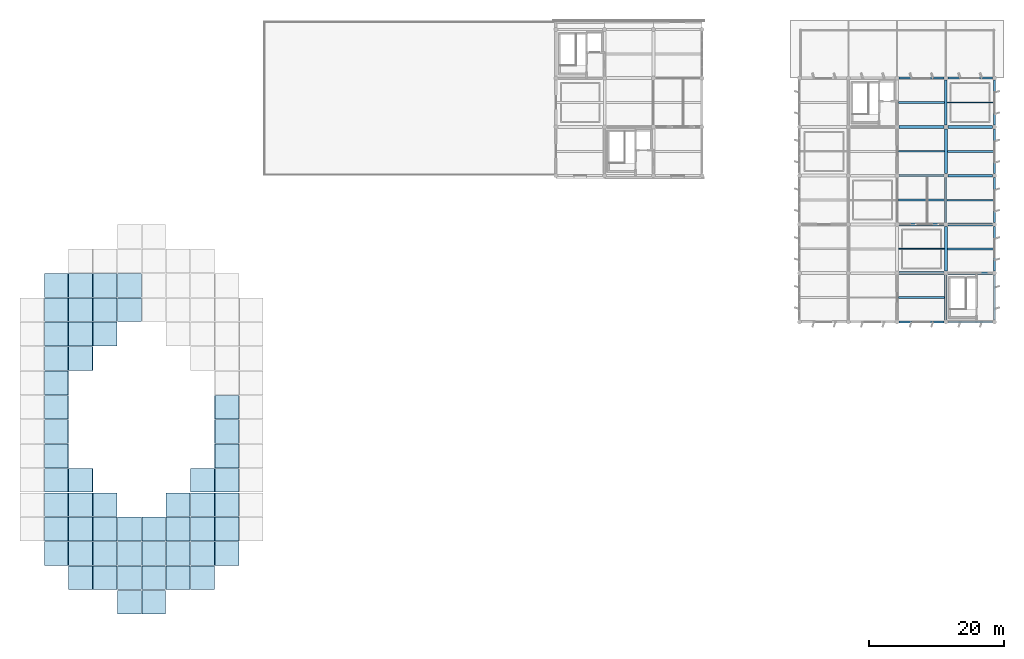
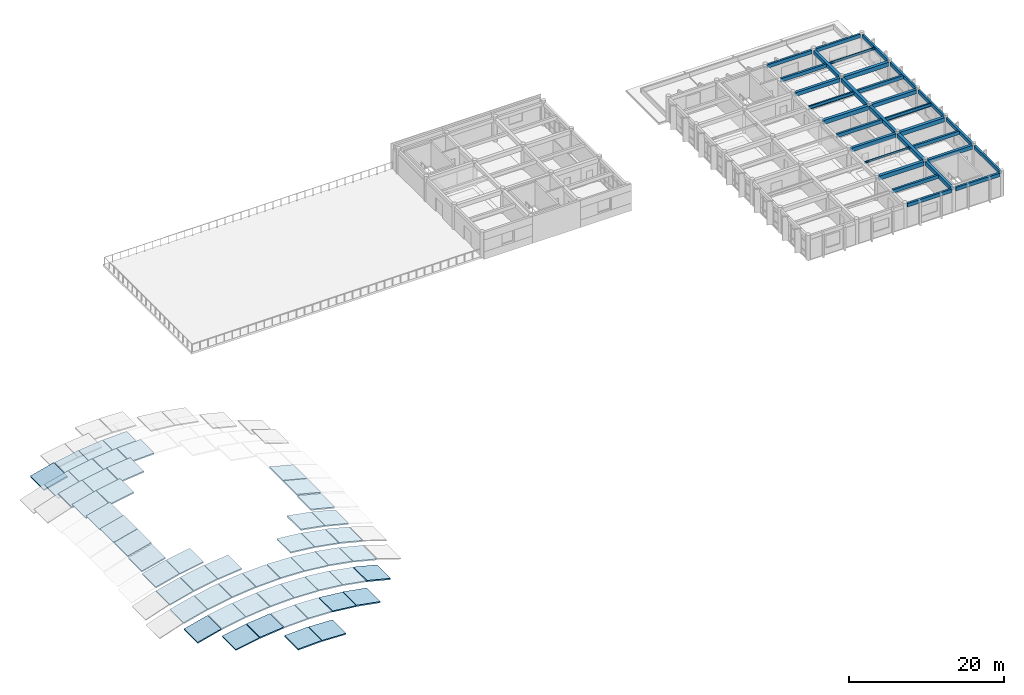
# One storey, part 7 of 16: 54 slabs, 27 beams, 4 members.
"""IFC4 building model written with IfcOpenShell, lengths in metres."""

from ifc_helpers import new_model, si_unit, direction, frame, origin, origin_2d, place, context, subcontext, project, spatial, polyline, rectangle, i_section, outline, extrude, material, layer, layer_set, material_profile, profile_set, type_object, element, save


model = new_model("IFC4")

# Units and contexts
model_context = context("Model", 3, precision=1e-05, world=origin(), true_north=direction((0.0, 1.0)))
body_context = subcontext(model_context, "Body", "Model", "MODEL_VIEW")
ifc_project = project(units=[si_unit("LENGTHUNIT", "METRE"), si_unit("AREAUNIT", "SQUARE_METRE"), si_unit("VOLUMEUNIT", "CUBIC_METRE"), si_unit("PLANEANGLEUNIT", "RADIAN"), si_unit("MASSUNIT", "GRAM", prefix="KILO")], contexts=[model_context])

# Site, building, storey
site_placement = place(None, origin())
site = spatial("IfcSite", under=ifc_project, at=site_placement, CompositionType="ELEMENT")
building_placement = place(site_placement, origin())
building = spatial("IfcBuilding", under=site, at=building_placement, Name="Kavelor Marine Aquarium", CompositionType="ELEMENT")
storey_placement = place(building_placement, frame((0.0, 0.0, 21.60009765625)))
storey = spatial("IfcBuildingStorey", under=building, at=storey_placement, Name="L05", CompositionType="ELEMENT", Elevation=21.60009765625)

# Beams
ifc_material_1 = material(Name="Concrete C40/50", Category="concrete")
ifc_material_profile_1 = material_profile(ifc_material_1, rectangle(XDim=0.449951171875, YDim=0.64990234375, at=origin_2d()), Name="RC-BM 450x650")
ifc_profile_set_1 = profile_set([ifc_material_profile_1], Name="Concrete C40/50")
beam_type_1 = type_object("IfcBeamType", Name="BM-B3", PredefinedType="BEAM", material=ifc_profile_set_1)
for number, where, z_axis, x_axis, name in (
    (1, (133.10009765625, 74.800048828125, 3.35498046875), (1.0, 0.0, 0.0), (0.0, 1.0, 0.0), "bm:x:L05:RF:18_10"),
    (2, (133.10009765625, 89.199951171875, 3.35498046875), (1.0, 0.0, 0.0), (0.0, 1.0, 0.0), "bm:x:L05:RF:18_12"),
    (3, (140.300048828125, 82.0, 3.35498046875), (1.0, 0.0, 0.0), (0.0, 1.0, 0.0), "bm:x:L05:RF:19_11"),
    (4, (140.300048828125, 96.39990234375, 3.35498046875), (1.0, 0.0, 0.0), (0.0, 1.0, 0.0), "bm:x:L05:RF:19_13"),
    (5, (140.0, 75.10009765625, 3.35498046875), (0.0, 1.0, 0.0), (-1.0, 0.0, 0.0), "bm:y:L05:RF:19_10"),
):
    element("IfcBeam", number, at=place(storey_placement, frame(where, z_axis=z_axis, x_axis=x_axis)), inside=storey, type_object=beam_type_1, Name=name, PredefinedType="BEAM", context=body_context, shape_type="SweptSolid", body=[
        extrude(rectangle(XDim=0.449951171875, YDim=0.64990234375, at=origin_2d()), origin(), (0.0, 0.0, 1.0), 6.599853515625),
    ])
beam_1_placement = place(storey_placement, frame((140.0, 89.5, 3.35498046875), z_axis=(0.0, 1.0, 0.0), x_axis=(-1.0, 0.0, 0.0)))
element("IfcBeam", 6, at=beam_1_placement, inside=storey, type_object=beam_type_1, Name="bm:y:L05:RF:19_12", PredefinedType="BEAM", context=body_context, shape_type="SweptSolid", body=[
    extrude(rectangle(XDim=0.449951171875, YDim=0.64990234375, at=origin_2d()), origin(), (0.0, 0.0, 1.0), 6.60009765625),
])
ifc_material_2 = material(Name="Concrete C40/50", Category="concrete")
ifc_material_profile_2 = material_profile(ifc_material_2, rectangle(XDim=0.39990234375, YDim=0.60009765625, at=origin_2d()), Name="RC-BM 400x600")
ifc_profile_set_2 = profile_set([ifc_material_profile_2], Name="Concrete C40/50")
beam_type_2 = type_object("IfcBeamType", Name="BM-B4", PredefinedType="BEAM", material=ifc_profile_set_2)
for number, where, z_axis, x_axis, name in (
    (7, (133.10009765625, 82.0, 3.3798828125), (1.0, 0.0, 0.0), (0.0, 1.0, 0.0), "bm:x:L05:RF:18_11"),
    (8, (133.10009765625, 96.39990234375, 3.3798828125), (1.0, 0.0, 0.0), (0.0, 1.0, 0.0), "bm:x:L05:RF:18_13"),
    (9, (140.300048828125, 74.800048828125, 3.3798828125), (1.0, 0.0, 0.0), (0.0, 1.0, 0.0), "bm:x:L05:RF:19_10"),
    (10, (140.300048828125, 89.199951171875, 3.3798828125), (1.0, 0.0, 0.0), (0.0, 1.0, 0.0), "bm:x:L05:RF:19_12"),
):
    element("IfcBeam", number, at=place(storey_placement, frame(where, z_axis=z_axis, x_axis=x_axis)), inside=storey, type_object=beam_type_2, Name=name, PredefinedType="BEAM", context=body_context, shape_type="SweptSolid", body=[
        extrude(rectangle(XDim=0.39990234375, YDim=0.60009765625, at=origin_2d()), origin(), (0.0, 0.0, 1.0), 6.599853515625),
    ])
beam_2_placement = place(storey_placement, frame((140.0, 67.89990234375, 3.3798828125), z_axis=(0.0, 1.0, 0.0), x_axis=(-1.0, 0.0, 0.0)))
element("IfcBeam", 11, at=beam_2_placement, inside=storey, type_object=beam_type_2, Name="bm:y:L05:RF:19_09", PredefinedType="BEAM", context=body_context, shape_type="SweptSolid", body=[
    extrude(rectangle(XDim=0.39990234375, YDim=0.60009765625, at=origin_2d()), origin(), (0.0, 0.0, 1.0), 6.60009765625),
])
beam_3_placement = place(storey_placement, frame((140.0, 82.300048828125, 3.3798828125), z_axis=(0.0, 1.0, 0.0), x_axis=(-1.0, 0.0, 0.0)))
element("IfcBeam", 12, at=beam_3_placement, inside=storey, type_object=beam_type_2, Name="bm:y:L05:RF:19_11", PredefinedType="BEAM", context=body_context, shape_type="SweptSolid", body=[
    extrude(rectangle(XDim=0.39990234375, YDim=0.60009765625, at=origin_2d()), origin(), (0.0, 0.0, 1.0), 6.599853515625),
])
beam_4_placement = place(storey_placement, frame((140.0, 96.699951171875, 3.3798828125), z_axis=(0.0, 1.0, 0.0), x_axis=(-1.0, 0.0, 0.0)))
element("IfcBeam", 13, at=beam_4_placement, inside=storey, type_object=beam_type_2, Name="bm:y:L05:RF:19_13", PredefinedType="BEAM", context=body_context, shape_type="SweptSolid", body=[
    extrude(rectangle(XDim=0.39990234375, YDim=0.60009765625, at=origin_2d()), origin(), (0.0, 0.0, 1.0), 6.60009765625),
])
ifc_material_3 = material(Name="Concrete C40/50", Category="concrete")
ifc_material_profile_3 = material_profile(ifc_material_3, rectangle(XDim=0.300048828125, YDim=0.550048828125, at=origin_2d()), Name="RC-JS 300x550")
ifc_profile_set_3 = profile_set([ifc_material_profile_3], Name="Concrete C40/50")
beam_type_3 = type_object("IfcBeamType", Name="BM-JS2", PredefinedType="JOIST", material=ifc_profile_set_3)
for number, where, z_axis, x_axis, name in (
    (14, (133.0, 71.199951171875, 3.40478515625), (1.0, 0.0, 0.0), (0.0, 1.0, 0.0), "js:L05:RF:18_09"),
    (15, (133.0, 85.60009765625, 3.40478515625), (1.0, 0.0, 0.0), (0.0, 1.0, 0.0), "js:L05:RF:18_11"),
    (16, (133.0, 100.0, 3.40478515625), (1.0, 0.0, 0.0), (0.0, 1.0, 0.0), "js:L05:RF:18_13"),
):
    element("IfcBeam", number, at=place(storey_placement, frame(where, z_axis=z_axis, x_axis=x_axis)), inside=storey, type_object=beam_type_3, Name=name, PredefinedType="JOIST", context=body_context, shape_type="SweptSolid", body=[
        extrude(rectangle(XDim=0.300048828125, YDim=0.550048828125, at=origin_2d()), origin(), (0.0, 0.0, 1.0), 6.800048828125),
    ])
for number, where, z_axis, x_axis, name in (
    (17, (140.22509765625, 78.39990234375, 3.40478515625), (1.0, 0.0, 0.0), (0.0, 1.0, 0.0), "js:L05:RF:19_10"),
    (18, (140.22509765625, 92.800048828125, 3.40478515625), (1.0, 0.0, 0.0), (0.0, 1.0, 0.0), "js:L05:RF:19_12"),
):
    element("IfcBeam", number, at=place(storey_placement, frame(where, z_axis=z_axis, x_axis=x_axis)), inside=storey, type_object=beam_type_3, Name=name, PredefinedType="JOIST", context=body_context, shape_type="SweptSolid", body=[
        extrude(rectangle(XDim=0.300048828125, YDim=0.550048828125, at=origin_2d()), origin(), (0.0, 0.0, 1.0), 6.824951171875),
    ])
ifc_material_4 = material(Name="Concrete C40/50", Category="concrete")
ifc_material_profile_4 = material_profile(ifc_material_4, rectangle(XDim=0.300048828125, YDim=0.550048828125, at=origin_2d()), Name="RC-SP 300x550")
ifc_profile_set_4 = profile_set([ifc_material_profile_4], Name="Concrete C40/50")
beam_type_4 = type_object("IfcBeamType", Name="BM-SP2", PredefinedType="SPANDREL", material=ifc_profile_set_4)
for number, where, z_axis, x_axis, name in (
    (19, (133.10009765625, 67.60009765625, 3.40478515625), (1.0, 0.0, 0.0), (0.0, 1.0, 0.0), "bm:x:L05:RF:18_09"),
    (20, (133.10009765625, 103.60009765625, 3.40478515625), (1.0, 0.0, 0.0), (0.0, 1.0, 0.0), "bm:x:L05:RF:18_14"),
    (21, (140.300048828125, 67.60009765625, 3.40478515625), (1.0, 0.0, 0.0), (0.0, 1.0, 0.0), "bm:x:L05:RF:19_09"),
    (22, (140.300048828125, 103.60009765625, 3.40478515625), (1.0, 0.0, 0.0), (0.0, 1.0, 0.0), "bm:x:L05:RF:19_14"),
):
    element("IfcBeam", number, at=place(storey_placement, frame(where, z_axis=z_axis, x_axis=x_axis)), inside=storey, type_object=beam_type_4, Name=name, PredefinedType="SPANDREL", context=body_context, shape_type="SweptSolid", body=[
        extrude(rectangle(XDim=0.300048828125, YDim=0.550048828125, at=origin_2d()), origin(), (0.0, 0.0, 1.0), 6.599853515625),
    ])
beam_5_placement = place(storey_placement, frame((147.199951171875, 67.89990234375, 3.40478515625), z_axis=(0.0, 1.0, 0.0), x_axis=(-1.0, 0.0, 0.0)))
element("IfcBeam", 23, at=beam_5_placement, inside=storey, type_object=beam_type_4, Name="bm:y:L05:RF:20_09", PredefinedType="SPANDREL", context=body_context, shape_type="SweptSolid", body=[
    extrude(rectangle(XDim=0.300048828125, YDim=0.550048828125, at=origin_2d()), origin(), (0.0, 0.0, 1.0), 6.60009765625),
])
for number, where, z_axis, x_axis, name in (
    (24, (147.199951171875, 75.10009765625, 3.40478515625), (0.0, 1.0, 0.0), (-1.0, 0.0, 0.0), "bm:y:L05:RF:20_10"),
    (25, (147.199951171875, 82.300048828125, 3.40478515625), (0.0, 1.0, 0.0), (-1.0, 0.0, 0.0), "bm:y:L05:RF:20_11"),
):
    element("IfcBeam", number, at=place(storey_placement, frame(where, z_axis=z_axis, x_axis=x_axis)), inside=storey, type_object=beam_type_4, Name=name, PredefinedType="SPANDREL", context=body_context, shape_type="SweptSolid", body=[
        extrude(rectangle(XDim=0.300048828125, YDim=0.550048828125, at=origin_2d()), origin(), (0.0, 0.0, 1.0), 6.599853515625),
    ])
for number, where, z_axis, x_axis, name in (
    (26, (147.199951171875, 89.5, 3.40478515625), (0.0, 1.0, 0.0), (-1.0, 0.0, 0.0), "bm:y:L05:RF:20_12"),
    (27, (147.199951171875, 96.699951171875, 3.40478515625), (0.0, 1.0, 0.0), (-1.0, 0.0, 0.0), "bm:y:L05:RF:20_13"),
):
    element("IfcBeam", number, at=place(storey_placement, frame(where, z_axis=z_axis, x_axis=x_axis)), inside=storey, type_object=beam_type_4, Name=name, PredefinedType="SPANDREL", context=body_context, shape_type="SweptSolid", body=[
        extrude(rectangle(XDim=0.300048828125, YDim=0.550048828125, at=origin_2d()), origin(), (0.0, 0.0, 1.0), 6.60009765625),
    ])

# Members
ifc_material_5 = material(Name="Steel S355", Category="steel")
ifc_material_profile_5 = material_profile(ifc_material_5, i_section(OverallWidth=0.2099609375, OverallDepth=0.550048828125, WebThickness=0.010986328125, FlangeThickness=0.01708984375, FilletRadius=0.02392578125, at=origin_2d()), Name="IPE 550")
ifc_profile_set_5 = profile_set([ifc_material_profile_5], Name="Steel S355")
member_type_1 = type_object("IfcMemberType", Name="PR-SJ1", PredefinedType="PURLIN", material=ifc_profile_set_5)
member_1_placement = place(storey_placement, frame((133.02490234375, 92.800048828125, 3.40478515625), z_axis=(1.0, 0.0, 0.0), x_axis=(0.0, 1.0, 0.0)))
element("IfcMember", 28, at=member_1_placement, inside=storey, type_object=member_type_1, Name="js:L05:RF:18_12", PredefinedType="PURLIN", context=body_context, shape_type="SweptSolid", body=[
    extrude(i_section(OverallWidth=0.2099609375, OverallDepth=0.550048828125, WebThickness=0.010986328125, FlangeThickness=0.01708984375, FilletRadius=0.02392578125, at=origin_2d()), origin(), (0.0, 0.0, 1.0), 6.75),
])
member_2_placement = place(storey_placement, frame((140.199951171875, 85.60009765625, 3.40478515625), z_axis=(1.0, 0.0, 0.0), x_axis=(0.0, 1.0, 0.0)))
element("IfcMember", 29, at=member_2_placement, inside=storey, type_object=member_type_1, Name="js:L05:RF:19_11", PredefinedType="PURLIN", context=body_context, shape_type="SweptSolid", body=[
    extrude(i_section(OverallWidth=0.2099609375, OverallDepth=0.550048828125, WebThickness=0.010986328125, FlangeThickness=0.01708984375, FilletRadius=0.02392578125, at=origin_2d()), origin(), (0.0, 0.0, 1.0), 6.85009765625),
])
ifc_material_6 = material(Name="Steel S355", Category="steel")
ifc_material_profile_6 = material_profile(ifc_material_6, i_section(OverallWidth=0.169921875, OverallDepth=0.360107421875, WebThickness=0.008056640625, FlangeThickness=0.0126953125, FilletRadius=0.01806640625, at=origin_2d()), Name="IPE 360")
ifc_profile_set_6 = profile_set([ifc_material_profile_6], Name="Steel S355")
member_type_2 = type_object("IfcMemberType", Name="PR-SJ3", PredefinedType="PURLIN", material=ifc_profile_set_6)
member_3_placement = place(storey_placement, frame((140.199951171875, 100.0, 3.5), z_axis=(1.0, 0.0, 0.0), x_axis=(0.0, 1.0, 0.0)))
element("IfcMember", 30, at=member_3_placement, inside=storey, type_object=member_type_2, Name="js:L05:RF:19_13", PredefinedType="PURLIN", context=body_context, shape_type="SweptSolid", body=[
    extrude(i_section(OverallWidth=0.169921875, OverallDepth=0.360107421875, WebThickness=0.008056640625, FlangeThickness=0.0126953125, FilletRadius=0.01806640625, at=origin_2d()), origin(), (0.0, 0.0, 1.0), 6.85009765625),
])
ifc_material_7 = material(Name="Steel S355", Category="steel")
ifc_material_profile_7 = material_profile(ifc_material_7, i_section(OverallWidth=0.14990234375, OverallDepth=0.300048828125, WebThickness=0.007080078125, FlangeThickness=0.0107421875, FilletRadius=0.014892578125, at=origin_2d()), Name="IPE 300")
ifc_profile_set_7 = profile_set([ifc_material_profile_7], Name="Steel S355")
member_type_3 = type_object("IfcMemberType", Name="PR-SJ4", PredefinedType="PURLIN", material=ifc_profile_set_7)
member_4_placement = place(storey_placement, frame((133.02490234375, 78.39990234375, 3.52978515625), z_axis=(1.0, 0.0, 0.0), x_axis=(0.0, 1.0, 0.0)))
element("IfcMember", 31, at=member_4_placement, inside=storey, type_object=member_type_3, Name="js:L05:RF:18_10", PredefinedType="PURLIN", context=body_context, shape_type="SweptSolid", body=[
    extrude(i_section(OverallWidth=0.14990234375, OverallDepth=0.300048828125, WebThickness=0.007080078125, FlangeThickness=0.0107421875, FilletRadius=0.014892578125, at=origin_2d()), origin(), (0.0, 0.0, 1.0), 6.75),
])

# Slabs
ifc_material_8 = material(Name="Concrete C45/55", Category="concrete")
ifc_layer_1 = layer(ifc_material_8, 0.199951171875)
ifc_layer_set_1 = layer_set([ifc_layer_1], Name="SL-RF4")
slab_type_1 = type_object("IfcSlabType", Name="SL-RF4", PredefinedType="ROOF", material=ifc_layer_set_1)
slab_1_placement = place(storey_placement, frame((6.840087890625, 35.239990234375, 1.51708984375), z_axis=(-0.247686574416, 0.0, 0.968840214305), x_axis=(0.968840214305, 0.0, 0.247686574416)))
element("IfcSlab", 32, at=slab_1_placement, inside=storey, type_object=slab_type_1, Name="gs:roof:01_03", PredefinedType="ROOF", context=body_context, shape_type="SweptSolid", body=[
    extrude(outline(polyline([(0.0, 0.0), (3.6332302058455115, 0.0), (3.6332302058455115, 3.520019531250001), (0.0, 3.520019531250001), (0.0, 0.0)])), origin(), (0.0, 0.0, -1.0), 0.199951171875),
])
for number, where, z_axis, x_axis, name in (
    (33, (6.840087890625, 42.43994140625, 2.754150390625), (-0.247623498685, 0.0, 0.968856337596), (0.968856337596, 0.0, 0.247623498685), "gs:roof:01_05"),
    (34, (6.840087890625, 49.639892578125, 3.27783203125), (-0.247623498685, 0.0, 0.968856337596), (0.968856337596, 0.0, 0.247623498685), "gs:roof:01_07"),
    (35, (6.840087890625, 56.840087890625, 3.103759765625), (-0.247623498685, 0.0, 0.968856337596), (0.968856337596, 0.0, 0.247623498685), "gs:roof:01_09"),
    (36, (6.840087890625, 64.0400390625, 2.2265625), (-0.247623498685, 0.0, 0.968856337596), (0.968856337596, 0.0, 0.247623498685), "gs:roof:01_11"),
    (37, (6.840087890625, 71.239990234375, 0.62060546875), (-0.247623498685, 0.0, 0.968856337596), (0.968856337596, 0.0, 0.247623498685), "gs:roof:01_13"),
):
    element("IfcSlab", number, at=place(storey_placement, frame(where, z_axis=z_axis, x_axis=x_axis)), inside=storey, type_object=slab_type_1, Name=name, PredefinedType="ROOF", context=body_context, shape_type="SweptSolid", body=[
        extrude(outline(polyline([(0.0, 0.0), (3.6331697431900394, 0.0), (3.6331697431900394, 3.52001953125), (0.0, 3.52001953125), (0.0, 0.0)])), origin(), (0.0, 0.0, -1.0), 0.199951171875),
    ])
for number, where, z_axis, x_axis, name in (
    (38, (10.43994140625, 31.639892578125, 1.520263671875), (-0.177004886862, 0.0, 0.98420997253), (0.98420997253, 0.0, 0.177004886862), "gs:roof:02_02"),
    (39, (10.43994140625, 38.840087890625, 3.126220703125), (-0.177004886862, 0.0, 0.98420997253), (0.98420997253, 0.0, 0.177004886862), "gs:roof:02_04"),
    (40, (10.43994140625, 60.43994140625, 3.65380859375), (-0.177004886862, 0.0, 0.98420997253), (0.98420997253, 0.0, 0.177004886862), "gs:roof:02_10"),
):
    element("IfcSlab", number, at=place(storey_placement, frame(where, z_axis=z_axis, x_axis=x_axis)), inside=storey, type_object=slab_type_1, Name=name, PredefinedType="ROOF", context=body_context, shape_type="SweptSolid", body=[
        extrude(outline(polyline([(0.0, 0.0), (3.576492445206739, 0.0), (3.576492445206739, 3.52001953125), (0.0, 3.52001953125), (0.0, 0.0)])), origin(), (0.0, 0.0, -1.0), 0.199951171875),
    ])
slab_2_placement = place(storey_placement, frame((10.43994140625, 67.639892578125, 2.4169921875), z_axis=(-0.176938761793, 0.0, 0.984221862476), x_axis=(0.984221862476, 0.0, 0.176938761793)))
element("IfcSlab", 41, at=slab_2_placement, inside=storey, type_object=slab_type_1, Name="gs:roof:02_12", PredefinedType="ROOF", context=body_context, shape_type="SweptSolid", body=[
    extrude(outline(polyline([(0.0, 0.0), (3.5764492391948917, 0.0), (3.5764492391948917, 3.52001953125), (0.0, 3.52001953125), (0.0, 0.0)])), origin(), (0.0, 0.0, -1.0), 0.199951171875),
])
for number, where, z_axis, x_axis, name in (
    (42, (14.0400390625, 28.0400390625, 1.0625), (-0.10627500151, 0.0, 0.994336775974), (0.994336775974, 0.0, 0.10627500151), "gs:roof:03_01"),
    (43, (14.0400390625, 35.239990234375, 3.0498046875), (-0.10627500151, 0.0, 0.994336775974), (0.994336775974, 0.0, 0.10627500151), "gs:roof:03_03"),
):
    element("IfcSlab", number, at=place(storey_placement, frame(where, z_axis=z_axis, x_axis=x_axis)), inside=storey, type_object=slab_type_1, Name=name, PredefinedType="ROOF", context=body_context, shape_type="SweptSolid", body=[
        extrude(outline(polyline([(0.0, 0.0), (3.5400677278607735, 0.0), (3.5400677278607735, 3.52001953125), (0.0, 3.52001953125), (0.0, 0.0)])), origin(), (0.0, 0.0, -1.0), 0.199951171875),
    ])
slab_3_placement = place(storey_placement, frame((14.0400390625, 64.0400390625, 3.75927734375), z_axis=(-0.106206814718, 0.0, 0.994344061433), x_axis=(0.994344061433, 0.0, 0.106206814718)))
element("IfcSlab", 44, at=slab_3_placement, inside=storey, type_object=slab_type_1, Name="gs:roof:03_11", PredefinedType="ROOF", context=body_context, shape_type="SweptSolid", body=[
    extrude(outline(polyline([(0.0, 0.0), (3.5400417901390355, 0.0), (3.5400417901390355, 3.52001953125), (0.0, 3.52001953125), (0.0, 0.0)])), origin(), (0.0, 0.0, -1.0), 0.199951171875),
])
slab_4_placement = place(storey_placement, frame((14.0400390625, 71.239990234375, 2.1533203125), z_axis=(-0.10627500151, 0.0, 0.994336775974), x_axis=(0.994336775974, 0.0, 0.10627500151)))
element("IfcSlab", 45, at=slab_4_placement, inside=storey, type_object=slab_type_1, Name="gs:roof:03_13", PredefinedType="ROOF", context=body_context, shape_type="SweptSolid", body=[
    extrude(outline(polyline([(0.0, 0.0), (3.5400677278607735, 0.0), (3.5400677278607735, 3.52001953125), (0.0, 3.52001953125), (0.0, 0.0)])), origin(), (0.0, 0.0, -1.0), 0.199951171875),
])
for number, where, z_axis, x_axis, name in (
    (46, (17.639892578125, 24.43994140625, 0.144287109375), (-0.035419570184, 0.0, 0.999372530165), (0.999372530165, 0.0, 0.035419570184), "gs:roof:04_00"),
    (47, (17.639892578125, 31.639892578125, 2.529541015625), (-0.035419570184, 0.0, 0.999372530165), (0.999372530165, 0.0, 0.035419570184), "gs:roof:04_02"),
    (48, (17.639892578125, 67.639892578125, 3.426025390625), (-0.035419570184, 0.0, 0.999372530165), (0.999372530165, 0.0, 0.035419570184), "gs:roof:04_12"),
    (49, (21.239990234375, 28.0400390625, 1.5634765625), (0.035419570184, 0.0, 0.999372530165), (0.999372530165, 0.0, -0.035419570184), "gs:roof:05_01"),
    (50, (21.239990234375, 35.239990234375, 3.55078125), (0.035419570184, 0.0, 0.999372530165), (0.999372530165, 0.0, -0.035419570184), "gs:roof:05_03"),
):
    element("IfcSlab", number, at=place(storey_placement, frame(where, z_axis=z_axis, x_axis=x_axis)), inside=storey, type_object=slab_type_1, Name=name, PredefinedType="ROOF", context=body_context, shape_type="SweptSolid", body=[
        extrude(outline(polyline([(0.0, 0.0), (3.5222296240918003, 0.0), (3.5222296240918003, 3.52001953125), (0.0, 3.52001953125), (0.0, 0.0)])), origin(), (0.0, 0.0, -1.0), 0.199951171875),
    ])
slab_5_placement = place(storey_placement, frame((24.840087890625, 31.639892578125, 2.529541015625), z_axis=(0.10627500151, 0.0, 0.994336775974), x_axis=(0.994336775974, 0.0, -0.10627500151)))
element("IfcSlab", 51, at=slab_5_placement, inside=storey, type_object=slab_type_1, Name="gs:roof:06_02", PredefinedType="ROOF", context=body_context, shape_type="SweptSolid", body=[
    extrude(outline(polyline([(0.0, 0.0), (3.5400677278607735, 0.0), (3.5400677278607735, 3.52001953125), (0.0, 3.52001953125), (0.0, 0.0)])), origin(), (0.0, 0.0, -1.0), 0.199951171875),
])
slab_6_placement = place(storey_placement, frame((24.840087890625, 38.840087890625, 4.13525390625), z_axis=(0.106206814718, 0.0, 0.994344061433), x_axis=(0.994344061433, 0.0, -0.106206814718)))
element("IfcSlab", 52, at=slab_6_placement, inside=storey, type_object=slab_type_1, Name="gs:roof:06_04", PredefinedType="ROOF", context=body_context, shape_type="SweptSolid", body=[
    extrude(outline(polyline([(0.0, 0.0), (3.5400417901390355, 0.0), (3.5400417901390355, 3.52001953125), (0.0, 3.52001953125), (0.0, 0.0)])), origin(), (0.0, 0.0, -1.0), 0.199951171875),
])
slab_7_placement = place(storey_placement, frame((28.43994140625, 28.0400390625, 1.0625), z_axis=(0.177004886862, 0.0, 0.98420997253), x_axis=(0.98420997253, 0.0, -0.177004886862)))
element("IfcSlab", 53, at=slab_7_placement, inside=storey, type_object=slab_type_1, Name="gs:roof:07_01", PredefinedType="ROOF", context=body_context, shape_type="SweptSolid", body=[
    extrude(outline(polyline([(0.0, 0.0), (3.576492445206739, 0.0), (3.576492445206739, 3.52001953125), (0.0, 3.52001953125), (0.0, 0.0)])), origin(), (0.0, 0.0, -1.0), 0.199951171875),
])
slab_8_placement = place(storey_placement, frame((28.43994140625, 35.239990234375, 3.0498046875), z_axis=(0.176938761793, 0.0, 0.984221862476), x_axis=(0.984221862476, 0.0, -0.176938761793)))
element("IfcSlab", 54, at=slab_8_placement, inside=storey, type_object=slab_type_1, Name="gs:roof:07_03", PredefinedType="ROOF", context=body_context, shape_type="SweptSolid", body=[
    extrude(outline(polyline([(0.0, 0.0), (3.5764492391948917, 0.0), (3.5764492391948917, 3.52001953125), (0.0, 3.52001953125), (0.0, 0.0)])), origin(), (0.0, 0.0, -1.0), 0.199951171875),
])
slab_9_placement = place(storey_placement, frame((28.43994140625, 42.43994140625, 4.286865234375), z_axis=(0.177004886862, 0.0, 0.98420997253), x_axis=(0.98420997253, 0.0, -0.177004886862)))
element("IfcSlab", 55, at=slab_9_placement, inside=storey, type_object=slab_type_1, Name="gs:roof:07_05", PredefinedType="ROOF", context=body_context, shape_type="SweptSolid", body=[
    extrude(outline(polyline([(0.0, 0.0), (3.576492445206739, 0.0), (3.576492445206739, 3.52001953125), (0.0, 3.52001953125), (0.0, 0.0)])), origin(), (0.0, 0.0, -1.0), 0.199951171875),
])
for number, where, z_axis, x_axis, name in (
    (56, (32.0400390625, 31.639892578125, 1.520263671875), (0.247623498685, 0.0, 0.968856337596), (0.968856337596, 0.0, -0.247623498685), "gs:roof:08_02"),
    (57, (32.0400390625, 38.840087890625, 3.126220703125), (0.247623498685, 0.0, 0.968856337596), (0.968856337596, 0.0, -0.247623498685), "gs:roof:08_04"),
    (58, (32.0400390625, 46.0400390625, 4.00341796875), (0.247623498685, 0.0, 0.968856337596), (0.968856337596, 0.0, -0.247623498685), "gs:roof:08_06"),
    (59, (32.0400390625, 53.239990234375, 4.177490234375), (0.247623498685, 0.0, 0.968856337596), (0.968856337596, 0.0, -0.247623498685), "gs:roof:08_08"),
):
    element("IfcSlab", number, at=place(storey_placement, frame(where, z_axis=z_axis, x_axis=x_axis)), inside=storey, type_object=slab_type_1, Name=name, PredefinedType="ROOF", context=body_context, shape_type="SweptSolid", body=[
        extrude(outline(polyline([(0.0, 0.0), (3.6331697431900394, 0.0), (3.6331697431900394, 3.52001953125), (0.0, 3.52001953125), (0.0, 0.0)])), origin(), (0.0, 0.0, -1.0), 0.199951171875),
    ])
ifc_material_9 = material(Name="Concrete C45/55", Category="concrete")
ifc_layer_2 = layer(ifc_material_9, 0.179931640625)
ifc_layer_set_2 = layer_set([ifc_layer_2], Name="SL-RF5")
slab_type_2 = type_object("IfcSlabType", Name="SL-RF5", PredefinedType="ROOF", material=ifc_layer_set_2)
for number, where, z_axis, x_axis, name in (
    (60, (6.840087890625, 31.639892578125, 0.6005859375), (-0.247623498685, 0.0, 0.968856337596), (0.968856337596, 0.0, 0.247623498685), "gs:roof:01_02"),
    (61, (6.840087890625, 38.840087890625, 2.20654296875), (-0.247623498685, 0.0, 0.968856337596), (0.968856337596, 0.0, 0.247623498685), "gs:roof:01_04"),
    (62, (6.840087890625, 46.0400390625, 3.083740234375), (-0.247623498685, 0.0, 0.968856337596), (0.968856337596, 0.0, 0.247623498685), "gs:roof:01_06"),
    (63, (6.840087890625, 53.239990234375, 3.2578125), (-0.247623498685, 0.0, 0.968856337596), (0.968856337596, 0.0, 0.247623498685), "gs:roof:01_08"),
    (64, (6.840087890625, 60.43994140625, 2.734130859375), (-0.247623498685, 0.0, 0.968856337596), (0.968856337596, 0.0, 0.247623498685), "gs:roof:01_10"),
):
    element("IfcSlab", number, at=place(storey_placement, frame(where, z_axis=z_axis, x_axis=x_axis)), inside=storey, type_object=slab_type_2, Name=name, PredefinedType="ROOF", context=body_context, shape_type="SweptSolid", body=[
        extrude(outline(polyline([(0.0, 0.0), (3.6331697431900394, 0.0), (3.6331697431900394, 3.52001953125), (0.0, 3.52001953125), (0.0, 0.0)])), origin(), (0.0, 0.0, -1.0), 0.179931640625),
    ])
slab_10_placement = place(storey_placement, frame((6.840087890625, 67.639892578125, 1.4970703125), z_axis=(-0.247686574416, 0.0, 0.968840214305), x_axis=(0.968840214305, 0.0, 0.247686574416)))
element("IfcSlab", 65, at=slab_10_placement, inside=storey, type_object=slab_type_2, Name="gs:roof:01_12", PredefinedType="ROOF", context=body_context, shape_type="SweptSolid", body=[
    extrude(outline(polyline([(0.0, 0.0), (3.6332302058455115, 0.0), (3.6332302058455115, 3.520019531250001), (0.0, 3.520019531250001), (0.0, 0.0)])), origin(), (0.0, 0.0, -1.0), 0.179931640625),
])
for number, where, z_axis, x_axis, name in (
    (66, (10.43994140625, 28.0400390625, 0.409423828125), (-0.177004886862, 0.0, 0.98420997253), (0.98420997253, 0.0, 0.177004886862), "gs:roof:02_01"),
    (67, (10.43994140625, 35.239990234375, 2.39697265625), (-0.177004886862, 0.0, 0.98420997253), (0.98420997253, 0.0, 0.177004886862), "gs:roof:02_03"),
    (68, (10.43994140625, 42.43994140625, 3.6337890625), (-0.177004886862, 0.0, 0.98420997253), (0.98420997253, 0.0, 0.177004886862), "gs:roof:02_05"),
    (69, (10.43994140625, 64.0400390625, 3.106201171875), (-0.177004886862, 0.0, 0.98420997253), (0.98420997253, 0.0, 0.177004886862), "gs:roof:02_11"),
    (70, (10.43994140625, 71.239990234375, 1.500244140625), (-0.177004886862, 0.0, 0.98420997253), (0.98420997253, 0.0, 0.177004886862), "gs:roof:02_13"),
):
    element("IfcSlab", number, at=place(storey_placement, frame(where, z_axis=z_axis, x_axis=x_axis)), inside=storey, type_object=slab_type_2, Name=name, PredefinedType="ROOF", context=body_context, shape_type="SweptSolid", body=[
        extrude(outline(polyline([(0.0, 0.0), (3.576492445206739, 0.0), (3.576492445206739, 3.52001953125), (0.0, 3.52001953125), (0.0, 0.0)])), origin(), (0.0, 0.0, -1.0), 0.179931640625),
    ])
for number, where, z_axis, x_axis, name in (
    (71, (14.0400390625, 31.639892578125, 2.13330078125), (-0.10627500151, 0.0, 0.994336775974), (0.994336775974, 0.0, 0.10627500151), "gs:roof:03_02"),
    (72, (14.0400390625, 38.840087890625, 3.7392578125), (-0.10627500151, 0.0, 0.994336775974), (0.994336775974, 0.0, 0.10627500151), "gs:roof:03_04"),
):
    element("IfcSlab", number, at=place(storey_placement, frame(where, z_axis=z_axis, x_axis=x_axis)), inside=storey, type_object=slab_type_2, Name=name, PredefinedType="ROOF", context=body_context, shape_type="SweptSolid", body=[
        extrude(outline(polyline([(0.0, 0.0), (3.5400677278607735, 0.0), (3.5400677278607735, 3.52001953125), (0.0, 3.52001953125), (0.0, 0.0)])), origin(), (0.0, 0.0, -1.0), 0.179931640625),
    ])
slab_11_placement = place(storey_placement, frame((14.0400390625, 67.639892578125, 3.030029296875), z_axis=(-0.106206814718, 0.0, 0.994344061433), x_axis=(0.994344061433, 0.0, 0.106206814718)))
element("IfcSlab", 73, at=slab_11_placement, inside=storey, type_object=slab_type_2, Name="gs:roof:03_12", PredefinedType="ROOF", context=body_context, shape_type="SweptSolid", body=[
    extrude(outline(polyline([(0.0, 0.0), (3.5400417901390355, 0.0), (3.5400417901390355, 3.52001953125), (0.0, 3.52001953125), (0.0, 0.0)])), origin(), (0.0, 0.0, -1.0), 0.179931640625),
])
for number, where, z_axis, x_axis, name in (
    (74, (17.639892578125, 28.0400390625, 1.418701171875), (-0.035419570184, 0.0, 0.999372530165), (0.999372530165, 0.0, 0.035419570184), "gs:roof:04_01"),
    (75, (17.639892578125, 35.239990234375, 3.406005859375), (-0.035419570184, 0.0, 0.999372530165), (0.999372530165, 0.0, 0.035419570184), "gs:roof:04_03"),
    (76, (17.639892578125, 71.239990234375, 2.509521484375), (-0.035419570184, 0.0, 0.999372530165), (0.999372530165, 0.0, 0.035419570184), "gs:roof:04_13"),
    (77, (21.239990234375, 24.43994140625, 0.2490234375), (0.035419570184, 0.0, 0.999372530165), (0.999372530165, 0.0, -0.035419570184), "gs:roof:05_00"),
    (78, (21.239990234375, 31.639892578125, 2.63427734375), (0.035419570184, 0.0, 0.999372530165), (0.999372530165, 0.0, -0.035419570184), "gs:roof:05_02"),
):
    element("IfcSlab", number, at=place(storey_placement, frame(where, z_axis=z_axis, x_axis=x_axis)), inside=storey, type_object=slab_type_2, Name=name, PredefinedType="ROOF", context=body_context, shape_type="SweptSolid", body=[
        extrude(outline(polyline([(0.0, 0.0), (3.5222296240918003, 0.0), (3.5222296240918003, 3.52001953125), (0.0, 3.52001953125), (0.0, 0.0)])), origin(), (0.0, 0.0, -1.0), 0.179931640625),
    ])
slab_12_placement = place(storey_placement, frame((24.840087890625, 28.0400390625, 1.418701171875), z_axis=(0.10627500151, 0.0, 0.994336775974), x_axis=(0.994336775974, 0.0, -0.10627500151)))
element("IfcSlab", 79, at=slab_12_placement, inside=storey, type_object=slab_type_2, Name="gs:roof:06_01", PredefinedType="ROOF", context=body_context, shape_type="SweptSolid", body=[
    extrude(outline(polyline([(0.0, 0.0), (3.5400677278607735, 0.0), (3.5400677278607735, 3.52001953125), (0.0, 3.52001953125), (0.0, 0.0)])), origin(), (0.0, 0.0, -1.0), 0.179931640625),
])
slab_13_placement = place(storey_placement, frame((24.840087890625, 35.239990234375, 3.406005859375), z_axis=(0.106206814718, 0.0, 0.994344061433), x_axis=(0.994344061433, 0.0, -0.106206814718)))
element("IfcSlab", 80, at=slab_13_placement, inside=storey, type_object=slab_type_2, Name="gs:roof:06_03", PredefinedType="ROOF", context=body_context, shape_type="SweptSolid", body=[
    extrude(outline(polyline([(0.0, 0.0), (3.5400417901390355, 0.0), (3.5400417901390355, 3.52001953125), (0.0, 3.52001953125), (0.0, 0.0)])), origin(), (0.0, 0.0, -1.0), 0.179931640625),
])
for number, where, z_axis, x_axis, name in (
    (81, (28.43994140625, 31.639892578125, 2.13330078125), (0.177004886862, 0.0, 0.98420997253), (0.98420997253, 0.0, -0.177004886862), "gs:roof:07_02"),
    (82, (28.43994140625, 38.840087890625, 3.7392578125), (0.177004886862, 0.0, 0.98420997253), (0.98420997253, 0.0, -0.177004886862), "gs:roof:07_04"),
):
    element("IfcSlab", number, at=place(storey_placement, frame(where, z_axis=z_axis, x_axis=x_axis)), inside=storey, type_object=slab_type_2, Name=name, PredefinedType="ROOF", context=body_context, shape_type="SweptSolid", body=[
        extrude(outline(polyline([(0.0, 0.0), (3.576492445206739, 0.0), (3.576492445206739, 3.52001953125), (0.0, 3.52001953125), (0.0, 0.0)])), origin(), (0.0, 0.0, -1.0), 0.179931640625),
    ])
slab_14_placement = place(storey_placement, frame((32.0400390625, 35.239990234375, 2.39697265625), z_axis=(0.247686574416, 0.0, 0.968840214305), x_axis=(0.968840214305, 0.0, -0.247686574416)))
element("IfcSlab", 83, at=slab_14_placement, inside=storey, type_object=slab_type_2, Name="gs:roof:08_03", PredefinedType="ROOF", context=body_context, shape_type="SweptSolid", body=[
    extrude(outline(polyline([(0.0, 0.0), (3.6332302058455115, 0.0), (3.6332302058455115, 3.520019531250001), (0.0, 3.520019531250001), (0.0, 0.0)])), origin(), (0.0, 0.0, -1.0), 0.179931640625),
])
for number, where, z_axis, x_axis, name in (
    (84, (32.0400390625, 42.43994140625, 3.6337890625), (0.247623498685, 0.0, 0.968856337596), (0.968856337596, 0.0, -0.247623498685), "gs:roof:08_05"),
    (85, (32.0400390625, 49.639892578125, 4.157470703125), (0.247623498685, 0.0, 0.968856337596), (0.968856337596, 0.0, -0.247623498685), "gs:roof:08_07"),
):
    element("IfcSlab", number, at=place(storey_placement, frame(where, z_axis=z_axis, x_axis=x_axis)), inside=storey, type_object=slab_type_2, Name=name, PredefinedType="ROOF", context=body_context, shape_type="SweptSolid", body=[
        extrude(outline(polyline([(0.0, 0.0), (3.6331697431900394, 0.0), (3.6331697431900394, 3.52001953125), (0.0, 3.52001953125), (0.0, 0.0)])), origin(), (0.0, 0.0, -1.0), 0.179931640625),
    ])

save(model, "model.ifc")
